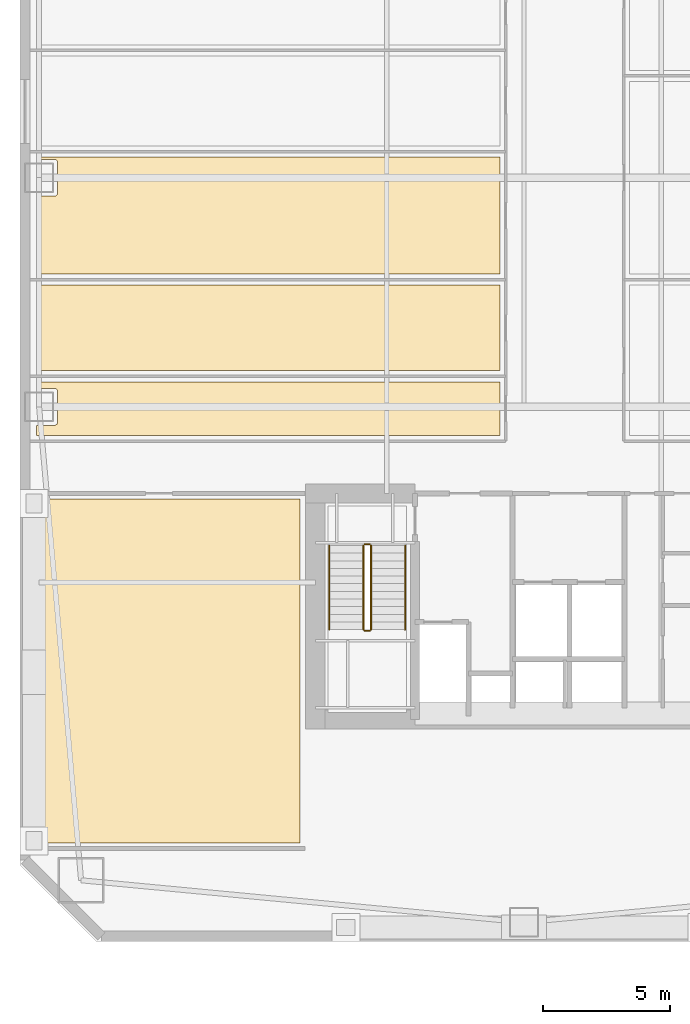
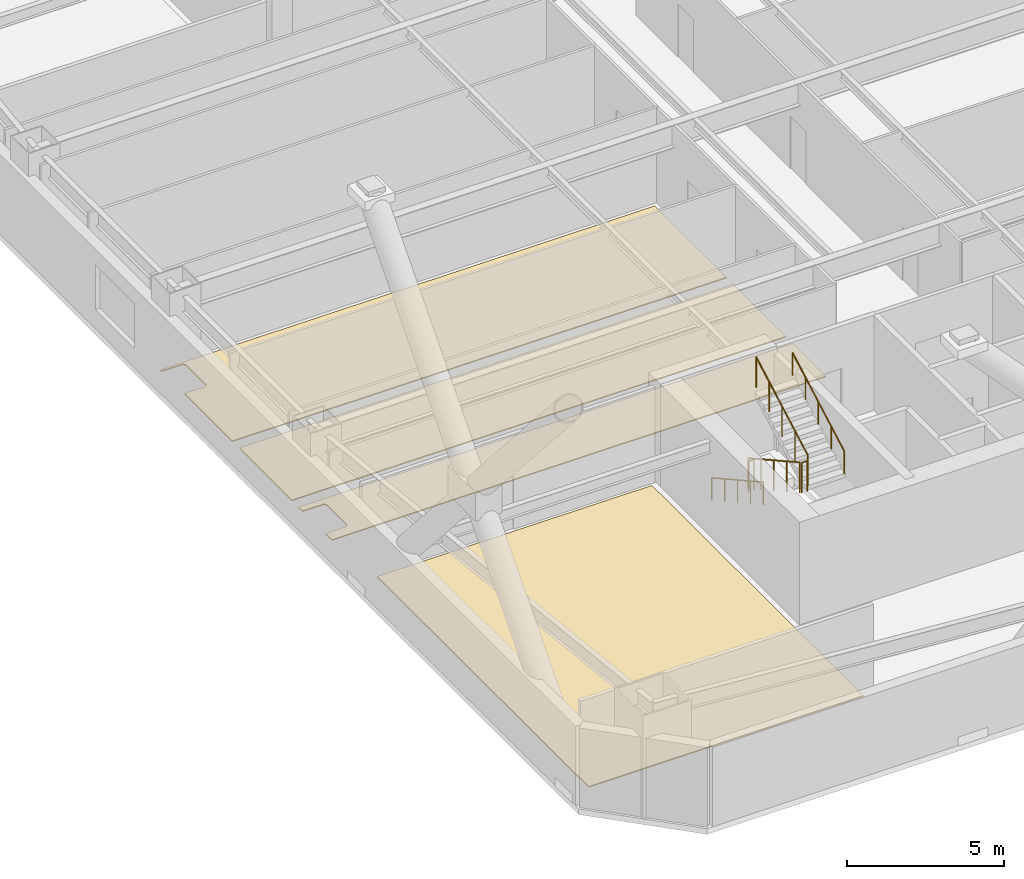
# One storey, part 10 of 18: 6 railings, 4 coverings.
"""IFC4 building model written with IfcOpenShell, lengths in metres."""

from ifc_helpers import new_model, si_unit, direction, frame, origin, origin_2d, place, context, subcontext, project, spatial, polyline, circle, outline, extrude, material, layer, layer_set, type_object, element, save


model = new_model("IFC4")

# Units and contexts
model_context = context("Model", 3, precision=1e-05, world=origin(), true_north=direction((0.0, 1.0)))
body_context = subcontext(model_context, "Body", "Model", "MODEL_VIEW")
ifc_project = project(units=[si_unit("LENGTHUNIT", "METRE"), si_unit("AREAUNIT", "SQUARE_METRE"), si_unit("VOLUMEUNIT", "CUBIC_METRE"), si_unit("PLANEANGLEUNIT", "RADIAN"), si_unit("MASSUNIT", "GRAM", prefix="KILO")], contexts=[model_context])

# Site, building, storey
site_placement = place(None, origin())
site = spatial("IfcSite", under=ifc_project, at=site_placement, CompositionType="ELEMENT")
building_placement = place(site_placement, origin())
building = spatial("IfcBuilding", under=site, at=building_placement, Name="Qiaolan Cultural Towers", CompositionType="ELEMENT")
storey_placement = place(building_placement, frame((0.0, 0.0, 42.0)))
storey = spatial("IfcBuildingStorey", under=building, at=storey_placement, Name="L09", CompositionType="ELEMENT", Elevation=42.0)

# Coverings
ifc_material_1 = material(Name="Honed Terrazzo & Raised Access Flooring", Category="concrete")
ifc_layer = layer(ifc_material_1, 0.0400390625)
ifc_layer_set = layer_set([ifc_layer], Name="Honed Terrazzo & Raised Access Flooring")
covering_type = type_object("IfcCoveringType", Name="COV-FLR-STONE", PredefinedType="FLOORING", material=ifc_layer_set)
covering_1_placement = place(storey_placement, origin())
element("IfcCovering", 1, at=covering_1_placement, inside=storey, type_object=covering_type, Name="L09 Corner Project Briefing Room Finish Flooring", PredefinedType="FLOORING", context=body_context, shape_type="SweptSolid", body=[
    extrude(outline(polyline([(21.199951171875, 7.8701171875), (21.199951171875, 21.3798828125), (11.070068359375, 21.3798828125), (11.070068359375, 7.8701171875), (21.199951171875, 7.8701171875)])), origin(), (0.0, 0.0, 1.0), 0.0400390625),
])
covering_2_placement = place(storey_placement, origin())
element("IfcCovering", 2, at=covering_2_placement, inside=storey, type_object=covering_type, Name="L09 Project Briefing Room Finish Flooring", PredefinedType="FLOORING", context=body_context, shape_type="SweptSolid", body=[
    extrude(outline(polyline([(10.840087890625, 25.72509765625), (11.554931640625, 25.72509765625), (11.566650390625, 25.724365234375), (11.578369140625, 25.72265625), (11.58984375, 25.7197265625), (11.600830078125, 25.7158203125), (11.611572265625, 25.7109375), (11.62158203125, 25.704833984375), (11.631103515625, 25.69775390625), (11.639892578125, 25.68994140625), (11.647705078125, 25.68115234375), (11.65478515625, 25.671630859375), (11.660888671875, 25.66162109375), (11.665771484375, 25.65087890625), (11.669921875, 25.639892578125), (11.672607421875, 25.62841796875), (11.67431640625, 25.61669921875), (11.675048828125, 25.60498046875), (11.675048828125, 24.39501953125), (11.67431640625, 24.38330078125), (11.672607421875, 24.37158203125), (11.669921875, 24.360107421875), (11.665771484375, 24.34912109375), (11.660888671875, 24.33837890625), (11.65478515625, 24.328369140625), (11.647705078125, 24.31884765625), (11.639892578125, 24.31005859375), (11.631103515625, 24.30224609375), (11.62158203125, 24.295166015625), (11.611572265625, 24.2890625), (11.600830078125, 24.2841796875), (11.58984375, 24.2802734375), (11.578369140625, 24.27734375), (11.566650390625, 24.275634765625), (11.554931640625, 24.27490234375), (10.840087890625, 24.27490234375), (10.840087890625, 23.8701171875), (29.054931640625, 23.8701171875), (29.054931640625, 25.97998046875), (10.840087890625, 25.97998046875), (10.840087890625, 25.72509765625)])), origin(), (0.0, 0.0, 1.0), 0.0400390625),
])
covering_3_placement = place(storey_placement, origin())
element("IfcCovering", 3, at=covering_3_placement, inside=storey, type_object=covering_type, Name="L09 Curatorial Research Office Finish Flooring", PredefinedType="FLOORING", context=body_context, shape_type="SweptSolid", body=[
    extrude(outline(polyline([(29.054931640625, 26.419921875), (29.054931640625, 29.780029296875), (10.840087890625, 29.780029296875), (10.840087890625, 26.419921875), (29.054931640625, 26.419921875)])), origin(), (0.0, 0.0, 1.0), 0.0400390625),
])
covering_4_placement = place(storey_placement, origin())
element("IfcCovering", 4, at=covering_4_placement, inside=storey, type_object=covering_type, Name="L09 Curatorial Research Office Finish Flooring", PredefinedType="FLOORING", context=body_context, shape_type="SweptSolid", body=[
    extrude(outline(polyline([(10.840087890625, 34.72509765625), (11.554931640625, 34.72509765625), (11.566650390625, 34.724365234375), (11.578369140625, 34.72265625), (11.58984375, 34.7197265625), (11.600830078125, 34.7158203125), (11.611572265625, 34.7109375), (11.62158203125, 34.704833984375), (11.631103515625, 34.69775390625), (11.639892578125, 34.68994140625), (11.647705078125, 34.68115234375), (11.65478515625, 34.671630859375), (11.660888671875, 34.66162109375), (11.665771484375, 34.65087890625), (11.669921875, 34.639892578125), (11.672607421875, 34.62841796875), (11.67431640625, 34.61669921875), (11.675048828125, 34.60498046875), (11.675048828125, 33.39501953125), (11.67431640625, 33.38330078125), (11.672607421875, 33.37158203125), (11.669921875, 33.360107421875), (11.665771484375, 33.34912109375), (11.660888671875, 33.33837890625), (11.65478515625, 33.328369140625), (11.647705078125, 33.31884765625), (11.639892578125, 33.31005859375), (11.631103515625, 33.30224609375), (11.62158203125, 33.295166015625), (11.611572265625, 33.2890625), (11.600830078125, 33.2841796875), (11.58984375, 33.2802734375), (11.578369140625, 33.27734375), (11.566650390625, 33.275634765625), (11.554931640625, 33.27490234375), (10.840087890625, 33.27490234375), (10.840087890625, 30.219970703125), (29.054931640625, 30.219970703125), (29.054931640625, 34.80810546875), (10.840087890625, 34.80810546875), (10.840087890625, 34.72509765625)])), origin(), (0.0, 0.0, 1.0), 0.0400390625),
])

# Railings
ifc_material_2 = material(Name="Galvanized Painted Steel Stair Guardrail", Category="steel")
railing_type_1 = type_object("IfcRailingType", Name="RL-STAIR-GRD", PredefinedType="GUARDRAIL", material=ifc_material_2)
railing_1_placement = place(storey_placement, frame((23.68994140625, 19.550048828125, 0.166748046875)))
element("IfcRailing", 5, at=railing_1_placement, inside=storey, type_object=railing_type_1, Name="L09 ST-W1 stair guard 1", PredefinedType="GUARDRAIL", context=body_context, shape_type="SweptSolid", body=[
    extrude(circle(Radius=0.02392578125, at=origin_2d()), frame((0.0, 0.0, 1.17578125), z_axis=(0.0, -0.874169478083, 0.485620966999), x_axis=(1.0, 0.0, 0.0)), (0.0, 0.0, 1.0), 3.775146484375),
    extrude(circle(Radius=0.02099609375, at=origin_2d()), origin(), (0.0, 0.0, 1.0), 1.15185546875),
    extrude(circle(Radius=0.02099609375, at=origin_2d()), frame((0.0, -0.824951171875, 0.458251953125)), (0.0, 0.0, 1.0), 1.15185546875),
    extrude(circle(Radius=0.02099609375, at=origin_2d()), frame((0.0, -1.64990234375, 0.91650390625)), (0.0, 0.0, 1.0), 1.15185546875),
    extrude(circle(Radius=0.02099609375, at=origin_2d()), frame((0.0, -2.47509765625, 1.375)), (0.0, 0.0, 1.0), 1.15185546875),
    extrude(circle(Radius=0.02099609375, at=origin_2d()), frame((0.0, -3.300048828125, 1.833251953125)), (0.0, 0.0, 1.0), 1.15185546875),
])
railing_2_placement = place(storey_placement, frame((23.739990234375, 16.199951171875, 2.0)))
element("IfcRailing", 6, at=railing_2_placement, inside=storey, type_object=railing_type_1, Name="L09 ST-W1 stair guard 2", PredefinedType="GUARDRAIL", context=body_context, shape_type="SweptSolid", body=[
    extrude(circle(Radius=0.02392578125, at=origin_2d()), frame((0.0, 0.0, 1.17578125), z_axis=(1.0, 0.0, 0.0), x_axis=(0.0, 1.0, 0.0)), (0.0, 0.0, 1.0), 0.199951171875),
    extrude(circle(Radius=0.02099609375, at=origin_2d()), origin(), (0.0, 0.0, 1.0), 1.15185546875),
    extrude(circle(Radius=0.02099609375, at=origin_2d()), frame((0.199951171875, 0.0, 0.0)), (0.0, 0.0, 1.0), 1.15185546875),
])
railing_3_placement = place(storey_placement, frame((23.989990234375, 16.25, 2.166748046875)))
element("IfcRailing", 7, at=railing_3_placement, inside=storey, type_object=railing_type_1, Name="L09 ST-W1 stair guard 3", PredefinedType="GUARDRAIL", context=body_context, shape_type="SweptSolid", body=[
    extrude(circle(Radius=0.02392578125, at=origin_2d()), frame((0.0, 0.0, 1.17578125), z_axis=(0.0, 0.874169478083, 0.485620966999), x_axis=(-1.0, 0.0, 0.0)), (0.0, 0.0, 1.0), 3.775146484375),
    extrude(circle(Radius=0.02099609375, at=origin_2d()), origin(), (0.0, 0.0, 1.0), 1.15185546875),
    extrude(circle(Radius=0.02099609375, at=origin_2d()), frame((0.0, 0.824951171875, 0.458251953125)), (0.0, 0.0, 1.0), 1.15185546875),
    extrude(circle(Radius=0.02099609375, at=origin_2d()), frame((0.0, 1.64990234375, 0.91650390625)), (0.0, 0.0, 1.0), 1.15185546875),
    extrude(circle(Radius=0.02099609375, at=origin_2d()), frame((0.0, 2.47509765625, 1.375)), (0.0, 0.0, 1.0), 1.15185546875),
    extrude(circle(Radius=0.02099609375, at=origin_2d()), frame((0.0, 3.300048828125, 1.833251953125)), (0.0, 0.0, 1.0), 1.15185546875),
])
railing_4_placement = place(storey_placement, frame((23.739990234375, 19.60009765625, 0.0)))
element("IfcRailing", 8, at=railing_4_placement, inside=storey, type_object=railing_type_1, Name="L09 ST-W1 stair guard 4", PredefinedType="GUARDRAIL", context=body_context, shape_type="SweptSolid", body=[
    extrude(circle(Radius=0.02392578125, at=origin_2d()), frame((0.0, 0.0, 1.17578125), z_axis=(1.0, 0.0, 0.0), x_axis=(0.0, 1.0, 0.0)), (0.0, 0.0, 1.0), 0.199951171875),
    extrude(circle(Radius=0.02099609375, at=origin_2d()), origin(), (0.0, 0.0, 1.0), 1.15185546875),
    extrude(circle(Radius=0.02099609375, at=origin_2d()), frame((0.199951171875, 0.0, 0.0)), (0.0, 0.0, 1.0), 1.15185546875),
])
ifc_material_3 = material(Name="Stainless Steel S30408 Tubular Handrail", Category="steel")
railing_type_2 = type_object("IfcRailingType", Name="RL-STAIR-HR", PredefinedType="HANDRAIL", material=ifc_material_3)
railing_5_placement = place(storey_placement, frame((22.35009765625, 19.550048828125, 0.166748046875)))
element("IfcRailing", 9, at=railing_5_placement, inside=storey, type_object=railing_type_2, Name="L09 ST-W1 stair handrail 1", PredefinedType="HANDRAIL", context=body_context, shape_type="SweptSolid", body=[
    extrude(circle(Radius=0.02392578125, at=origin_2d()), frame((0.0, 0.0, 0.8759765625), z_axis=(0.0, -0.874169478083, 0.485620966999), x_axis=(1.0, 0.0, 0.0)), (0.0, 0.0, 1.0), 3.775146484375),
    extrude(circle(Radius=0.02099609375, at=origin_2d()), origin(), (0.0, 0.0, 1.0), 0.851806640625),
    extrude(circle(Radius=0.02099609375, at=origin_2d()), frame((0.0, -0.824951171875, 0.458251953125)), (0.0, 0.0, 1.0), 0.851806640625),
    extrude(circle(Radius=0.02099609375, at=origin_2d()), frame((0.0, -1.64990234375, 0.91650390625)), (0.0, 0.0, 1.0), 0.851806640625),
    extrude(circle(Radius=0.02099609375, at=origin_2d()), frame((0.0, -2.47509765625, 1.375)), (0.0, 0.0, 1.0), 0.851806640625),
    extrude(circle(Radius=0.02099609375, at=origin_2d()), frame((0.0, -3.300048828125, 1.833251953125)), (0.0, 0.0, 1.0), 0.851806640625),
])
railing_6_placement = place(storey_placement, frame((25.330078125, 16.25, 2.166748046875)))
element("IfcRailing", 10, at=railing_6_placement, inside=storey, type_object=railing_type_2, Name="L09 ST-W1 stair handrail 2", PredefinedType="HANDRAIL", context=body_context, shape_type="SweptSolid", body=[
    extrude(circle(Radius=0.02392578125, at=origin_2d()), frame((0.0, 0.0, 0.8759765625), z_axis=(0.0, 0.874169478083, 0.485620966999), x_axis=(-1.0, 0.0, 0.0)), (0.0, 0.0, 1.0), 3.775146484375),
    extrude(circle(Radius=0.02099609375, at=origin_2d()), origin(), (0.0, 0.0, 1.0), 0.851806640625),
    extrude(circle(Radius=0.02099609375, at=origin_2d()), frame((0.0, 0.824951171875, 0.458251953125)), (0.0, 0.0, 1.0), 0.851806640625),
    extrude(circle(Radius=0.02099609375, at=origin_2d()), frame((0.0, 1.64990234375, 0.91650390625)), (0.0, 0.0, 1.0), 0.851806640625),
    extrude(circle(Radius=0.02099609375, at=origin_2d()), frame((0.0, 2.47509765625, 1.375)), (0.0, 0.0, 1.0), 0.851806640625),
    extrude(circle(Radius=0.02099609375, at=origin_2d()), frame((0.0, 3.300048828125, 1.833251953125)), (0.0, 0.0, 1.0), 0.851806640625),
])

save(model, "model.ifc")
